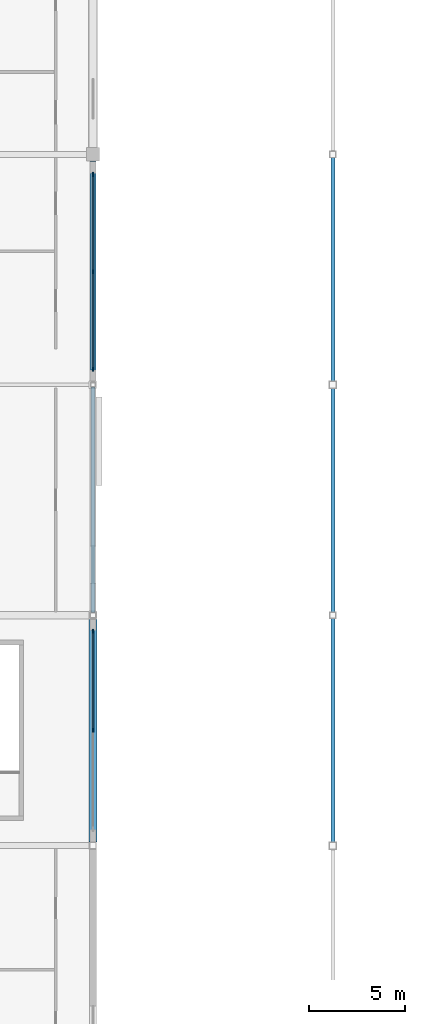
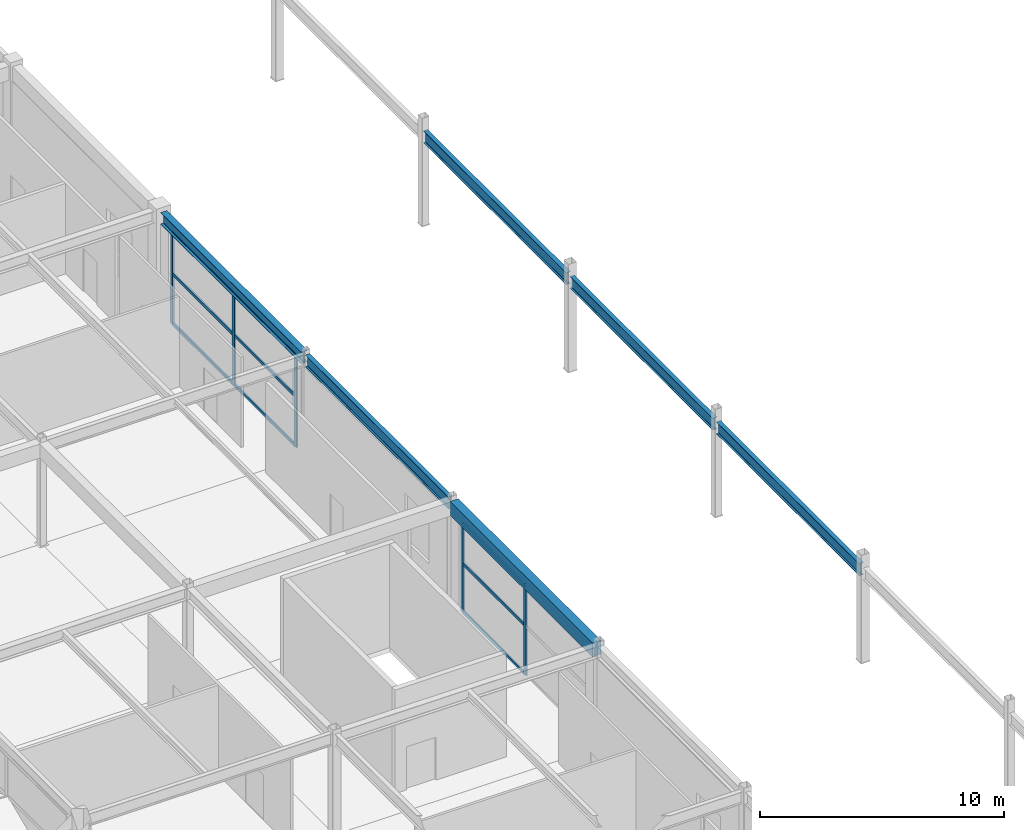
# One storey, part 37 of 105: 14 members, 6 beams, 2 elements without a shape of their own.
"""IFC4 building model written with IfcOpenShell, lengths in metres."""

from ifc_helpers import new_model, si_unit, direction, frame, origin, origin_2d, place, context, subcontext, project, spatial, rectangle, i_section, extrude, material, layer, layer_set, material_profile, profile_set, type_object, element, aggregate, save


model = new_model("IFC4")

# Units and contexts
model_context = context("Model", 3, precision=1e-05, world=origin(), true_north=direction((0.0, 1.0)))
body_context = subcontext(model_context, "Body", "Model", "MODEL_VIEW")
ifc_project = project(units=[si_unit("LENGTHUNIT", "METRE"), si_unit("AREAUNIT", "SQUARE_METRE"), si_unit("VOLUMEUNIT", "CUBIC_METRE"), si_unit("PLANEANGLEUNIT", "RADIAN"), si_unit("MASSUNIT", "GRAM", prefix="KILO")], contexts=[model_context])

# Site, building, storey
site_placement = place(None, origin())
site = spatial("IfcSite", under=ifc_project, at=site_placement, CompositionType="ELEMENT")
building_placement = place(site_placement, origin())
building = spatial("IfcBuilding", under=site, at=building_placement, Name="Kazenohara Klinker Stadium", CompositionType="ELEMENT")
storey_placement = place(building_placement, frame((0.0, 0.0, 20.39990234375)))
storey = spatial("IfcBuildingStorey", under=building, at=storey_placement, Name="L04", CompositionType="ELEMENT", Elevation=20.39990234375)

# Beams
ifc_material_1 = material(Name="Concrete C40/50", Category="concrete")
ifc_material_profile_1 = material_profile(ifc_material_1, rectangle(XDim=0.39990234375, YDim=0.699951171875, at=origin_2d()), Name="RC-BM-400x700")
ifc_profile_set_1 = profile_set([ifc_material_profile_1], Name="Concrete C40/50")
beam_type_1 = type_object("IfcBeamType", Name="BM-RC04", PredefinedType="BEAM", material=ifc_profile_set_1)
beam_1_placement = place(storey_placement, frame((36.5, 72.175048828125, 4.830078125), z_axis=(0.0, 1.0, 0.0), x_axis=(-1.0, 0.0, 0.0)))
element("IfcBeam", 1, at=beam_1_placement, inside=storey, type_object=beam_type_1, Name="Primary girder BG04 L04 4/G-H", PredefinedType="BEAM", context=body_context, shape_type="SweptSolid", body=[
    extrude(rectangle(XDim=0.39990234375, YDim=0.699951171875, at=origin_2d()), origin(), (0.0, 0.0, 1.0), 11.675048828125),
])
ifc_material_2 = material(Name="Steel S355", Category="steel")
ifc_material_profile_2 = material_profile(ifc_material_2, i_section(OverallWidth=0.199951171875, OverallDepth=0.60009765625, WebThickness=0.010986328125, FlangeThickness=0.01708984375, FilletRadius=0.012939453125, at=origin_2d()), Name="H-600x200x11x17")
ifc_profile_set_2 = profile_set([ifc_material_profile_2], Name="Steel S355")
beam_type_2 = type_object("IfcBeamType", Name="BM-ST04", PredefinedType="BEAM", material=ifc_profile_set_2)
beam_2_placement = place(storey_placement, frame((36.5, 84.14990234375, 4.880126953125), z_axis=(0.0, 1.0, 0.0), x_axis=(-1.0, 0.0, 0.0)))
element("IfcBeam", 2, at=beam_2_placement, inside=storey, type_object=beam_type_2, Name="Primary girder SB04 L04 4/H-J", PredefinedType="BEAM", context=body_context, shape_type="SweptSolid", body=[
    extrude(i_section(OverallWidth=0.199951171875, OverallDepth=0.60009765625, WebThickness=0.010986328125, FlangeThickness=0.01708984375, FilletRadius=0.012939453125, at=origin_2d()), origin(), (0.0, 0.0, 1.0), 11.72509765625),
])
for number, where, z_axis, x_axis, name in (
    (3, (49.0, 72.139892578125, 4.4501953125), (0.0, 1.0, 0.0), (-1.0, 0.0, 0.0), "Canopy tie girder SB04 L04 5/G"),
    (4, (49.0, 84.139892578125, 4.4501953125), (0.0, 1.0, 0.0), (-1.0, 0.0, 0.0), "Canopy tie girder SB04 L04 5/H"),
    (5, (49.0, 96.139892578125, 4.4501953125), (0.0, 1.0, 0.0), (-1.0, 0.0, 0.0), "Canopy tie girder SB04 L04 5/J"),
):
    element("IfcBeam", number, at=place(storey_placement, frame(where, z_axis=z_axis, x_axis=x_axis)), inside=storey, type_object=beam_type_2, Name=name, PredefinedType="BEAM", context=body_context, shape_type="SweptSolid", body=[
        extrude(i_section(OverallWidth=0.199951171875, OverallDepth=0.60009765625, WebThickness=0.010986328125, FlangeThickness=0.01708984375, FilletRadius=0.012939453125, at=origin_2d()), origin(), (0.0, 0.0, 1.0), 11.72021484375),
    ])
ifc_material_profile_3 = material_profile(ifc_material_2, i_section(OverallWidth=0.300048828125, OverallDepth=0.587890625, WebThickness=0.011962890625, FlangeThickness=0.02001953125, FilletRadius=0.02197265625, at=origin_2d()), Name="H-588x300x12x20")
ifc_profile_set_3 = profile_set([ifc_material_profile_3], Name="Steel S355")
beam_type_3 = type_object("IfcBeamType", Name="BM-ST05", PredefinedType="BEAM", material=ifc_profile_set_3)
beam_3_placement = place(storey_placement, frame((36.5, 96.125, 4.885986328125), z_axis=(0.0, 1.0, 0.0), x_axis=(-1.0, 0.0, 0.0)))
element("IfcBeam", 6, at=beam_3_placement, inside=storey, type_object=beam_type_3, Name="Primary girder SB05 L04 4/J-K", PredefinedType="BEAM", context=body_context, shape_type="SweptSolid", body=[
    extrude(i_section(OverallWidth=0.300048828125, OverallDepth=0.587890625, WebThickness=0.011962890625, FlangeThickness=0.02001953125, FilletRadius=0.02197265625, at=origin_2d()), origin(), (0.0, 0.0, 1.0), 11.52490234375),
])

# Curtain wall, members
ifc_material_3 = material(Name="Anodised aluminium and triple glazing", Category="aluminium")
ifc_layer_1 = layer(ifc_material_3, 0.169921875)
ifc_layer_set_1 = layer_set([ifc_layer_1], Name="Anodised aluminium and triple glazing")
curtain_wall_type_1 = type_object("IfcCurtainWallType", Name="CW-SYS-04", PredefinedType="USERDEFINED", material=ifc_layer_set_1)
curtain_wall_1_placement = place(storey_placement, origin())
curtain_wall_1 = element("IfcCurtainWall", 7, at=curtain_wall_1_placement, inside=storey, type_object=curtain_wall_type_1, Name="Unitised facade curtain wall CW04 L04 Y3-6", ObjectType="UNITISED CURTAIN WALL", PredefinedType="USERDEFINED")
ifc_material_4 = material(Name="Anodised aluminium 6063-T6", Category="aluminium")
ifc_material_profile_4 = material_profile(ifc_material_4, rectangle(XDim=0.074951171875, YDim=0.219970703125, at=origin_2d()), Name="ALU-MUL-75x220")
ifc_profile_set_4 = profile_set([ifc_material_profile_4], Name="Anodised aluminium 6063-T6")
member_type_1 = type_object("IfcMemberType", Name="CW-MUL-220", PredefinedType="MULLION", material=ifc_profile_set_4)
member_1_placement = place(storey_placement, frame((36.5, 78.012451171875, 0.0), z_axis=(0.0, 0.0, 1.0), x_axis=(-1.0, 0.0, 0.0)))
member_1 = element("IfcMember", 8, at=member_1_placement, type_object=member_type_1, Name="CW04 mullion 2", PredefinedType="MULLION", context=body_context, shape_type="SweptSolid", body=[
    extrude(rectangle(XDim=0.074951171875, YDim=0.219970703125, at=origin_2d()), origin(), (0.0, 0.0, 1.0), 4.47998046875),
])
member_2_placement = place(storey_placement, frame((36.5, 83.158447265625, 0.0), z_axis=(0.0, 0.0, 1.0), x_axis=(-1.0, 0.0, 0.0)))
member_2 = element("IfcMember", 9, at=member_2_placement, type_object=member_type_1, Name="CW04 mullion 3", PredefinedType="MULLION", context=body_context, shape_type="SweptSolid", body=[
    extrude(rectangle(XDim=0.074951171875, YDim=0.219970703125, at=origin_2d()), origin(), (0.0, 0.0, 1.0), 4.47998046875),
])

ifc_layer_2 = layer(ifc_material_3, 0.18994140625)
ifc_layer_set_2 = layer_set([ifc_layer_2], Name="Anodised aluminium and triple glazing")
curtain_wall_type_2 = type_object("IfcCurtainWallType", Name="CW-SYS-05", PredefinedType="USERDEFINED", material=ifc_layer_set_2)
curtain_wall_2_placement = place(storey_placement, origin())
curtain_wall_2 = element("IfcCurtainWall", 10, at=curtain_wall_2_placement, inside=storey, type_object=curtain_wall_type_2, Name="Unitised facade curtain wall CW05 L04 Y3-8", ObjectType="UNITISED CURTAIN WALL", PredefinedType="USERDEFINED")
member_3_placement = place(storey_placement, frame((36.5, 96.81640625, 0.0), z_axis=(0.0, 0.0, 1.0), x_axis=(-1.0, 0.0, 0.0)))
member_3 = element("IfcMember", 11, at=member_3_placement, type_object=member_type_1, Name="CW05 mullion 1", PredefinedType="MULLION", context=body_context, shape_type="SweptSolid", body=[
    extrude(rectangle(XDim=0.074951171875, YDim=0.219970703125, at=origin_2d()), origin(), (0.0, 0.0, 1.0), 4.592041015625),
])
member_4_placement = place(storey_placement, frame((36.5, 101.887451171875, 0.0), z_axis=(0.0, 0.0, 1.0), x_axis=(-1.0, 0.0, 0.0)))
member_4 = element("IfcMember", 12, at=member_4_placement, type_object=member_type_1, Name="CW05 mullion 2", PredefinedType="MULLION", context=body_context, shape_type="SweptSolid", body=[
    extrude(rectangle(XDim=0.074951171875, YDim=0.219970703125, at=origin_2d()), origin(), (0.0, 0.0, 1.0), 4.592041015625),
])
member_5_placement = place(storey_placement, frame((36.5, 106.95849609375, 0.0), z_axis=(0.0, 0.0, 1.0), x_axis=(-1.0, 0.0, 0.0)))
member_5 = element("IfcMember", 13, at=member_5_placement, type_object=member_type_1, Name="CW05 mullion 3", PredefinedType="MULLION", context=body_context, shape_type="SweptSolid", body=[
    extrude(rectangle(XDim=0.074951171875, YDim=0.219970703125, at=origin_2d()), origin(), (0.0, 0.0, 1.0), 4.592041015625),
])

# Member
ifc_material_profile_5 = material_profile(ifc_material_4, rectangle(XDim=0.074951171875, YDim=0.159912109375, at=origin_2d()), Name="ALU-TRN-75x160")
ifc_profile_set_5 = profile_set([ifc_material_profile_5], Name="Anodised aluminium 6063-T6")
member_type_2 = type_object("IfcMemberType", Name="CW-TRN-160", PredefinedType="USERDEFINED", material=ifc_profile_set_5)
member_6_placement = place(storey_placement, frame((36.5, 78.050048828125, 0.03759765625), z_axis=(0.0, 1.0, 0.0), x_axis=(-1.0, 0.0, 0.0)))
member_6 = element("IfcMember", 14, at=member_6_placement, type_object=member_type_2, Name="CW04 transom 2.1", ObjectType="TRANSOM", PredefinedType="USERDEFINED", context=body_context, shape_type="SweptSolid", body=[
    extrude(rectangle(XDim=0.074951171875, YDim=0.159912109375, at=origin_2d()), origin(), (0.0, 0.0, 1.0), 5.071044921875),
])

member_7_placement = place(storey_placement, frame((36.5, 78.050048828125, 2.464111328125), z_axis=(0.0, 1.0, 0.0), x_axis=(-1.0, 0.0, 0.0)))
member_7 = element("IfcMember", 15, at=member_7_placement, type_object=member_type_2, Name="CW04 transom 2.2", ObjectType="TRANSOM", PredefinedType="USERDEFINED", context=body_context, shape_type="SweptSolid", body=[
    extrude(rectangle(XDim=0.074951171875, YDim=0.159912109375, at=origin_2d()), origin(), (0.0, 0.0, 1.0), 5.071044921875),
])

member_8_placement = place(storey_placement, frame((36.5, 78.050048828125, 4.442626953125), z_axis=(0.0, 1.0, 0.0), x_axis=(-1.0, 0.0, 0.0)))
member_8 = element("IfcMember", 16, at=member_8_placement, type_object=member_type_2, Name="CW04 transom 2.3", ObjectType="TRANSOM", PredefinedType="USERDEFINED", context=body_context, shape_type="SweptSolid", body=[
    extrude(rectangle(XDim=0.074951171875, YDim=0.159912109375, at=origin_2d()), origin(), (0.0, 0.0, 1.0), 5.071044921875),
])

aggregate(curtain_wall_1, [member_1, member_2, member_6, member_7, member_8])

member_9_placement = place(storey_placement, frame((36.5, 96.85400390625, 0.03759765625), z_axis=(0.0, 1.0, 0.0), x_axis=(-1.0, 0.0, 0.0)))
member_9 = element("IfcMember", 17, at=member_9_placement, type_object=member_type_2, Name="CW05 transom 1.1", ObjectType="TRANSOM", PredefinedType="USERDEFINED", context=body_context, shape_type="SweptSolid", body=[
    extrude(rectangle(XDim=0.074951171875, YDim=0.159912109375, at=origin_2d()), origin(), (0.0, 0.0, 1.0), 4.99609375),
])

member_10_placement = place(storey_placement, frame((36.5, 96.85400390625, 2.525634765625), z_axis=(0.0, 1.0, 0.0), x_axis=(-1.0, 0.0, 0.0)))
member_10 = element("IfcMember", 18, at=member_10_placement, type_object=member_type_2, Name="CW05 transom 1.2", ObjectType="TRANSOM", PredefinedType="USERDEFINED", context=body_context, shape_type="SweptSolid", body=[
    extrude(rectangle(XDim=0.074951171875, YDim=0.159912109375, at=origin_2d()), origin(), (0.0, 0.0, 1.0), 4.99609375),
])

member_11_placement = place(storey_placement, frame((36.5, 96.85400390625, 4.5546875), z_axis=(0.0, 1.0, 0.0), x_axis=(-1.0, 0.0, 0.0)))
member_11 = element("IfcMember", 19, at=member_11_placement, type_object=member_type_2, Name="CW05 transom 1.3", ObjectType="TRANSOM", PredefinedType="USERDEFINED", context=body_context, shape_type="SweptSolid", body=[
    extrude(rectangle(XDim=0.074951171875, YDim=0.159912109375, at=origin_2d()), origin(), (0.0, 0.0, 1.0), 4.99609375),
])

member_12_placement = place(storey_placement, frame((36.5, 101.925048828125, 0.03759765625), z_axis=(0.0, 1.0, 0.0), x_axis=(-1.0, 0.0, 0.0)))
member_12 = element("IfcMember", 20, at=member_12_placement, type_object=member_type_2, Name="CW05 transom 2.1", ObjectType="TRANSOM", PredefinedType="USERDEFINED", context=body_context, shape_type="SweptSolid", body=[
    extrude(rectangle(XDim=0.074951171875, YDim=0.159912109375, at=origin_2d()), origin(), (0.0, 0.0, 1.0), 4.995849609375),
])

member_13_placement = place(storey_placement, frame((36.5, 101.925048828125, 2.525634765625), z_axis=(0.0, 1.0, 0.0), x_axis=(-1.0, 0.0, 0.0)))
member_13 = element("IfcMember", 21, at=member_13_placement, type_object=member_type_2, Name="CW05 transom 2.2", ObjectType="TRANSOM", PredefinedType="USERDEFINED", context=body_context, shape_type="SweptSolid", body=[
    extrude(rectangle(XDim=0.074951171875, YDim=0.159912109375, at=origin_2d()), origin(), (0.0, 0.0, 1.0), 4.995849609375),
])

member_14_placement = place(storey_placement, frame((36.5, 101.925048828125, 4.5546875), z_axis=(0.0, 1.0, 0.0), x_axis=(-1.0, 0.0, 0.0)))
member_14 = element("IfcMember", 22, at=member_14_placement, type_object=member_type_2, Name="CW05 transom 2.3", ObjectType="TRANSOM", PredefinedType="USERDEFINED", context=body_context, shape_type="SweptSolid", body=[
    extrude(rectangle(XDim=0.074951171875, YDim=0.159912109375, at=origin_2d()), origin(), (0.0, 0.0, 1.0), 4.995849609375),
])

aggregate(curtain_wall_2, [member_3, member_4, member_5, member_9, member_10, member_11, member_12, member_13, member_14])

save(model, "model.ifc")
